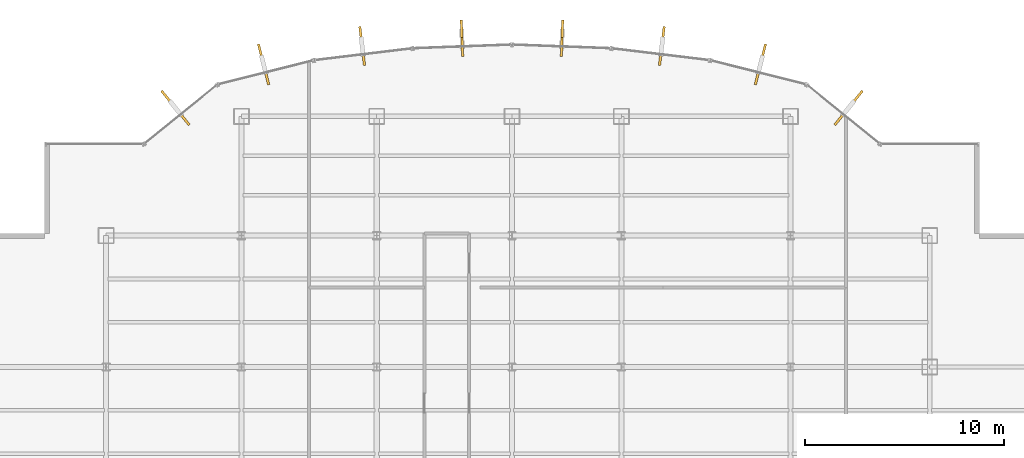
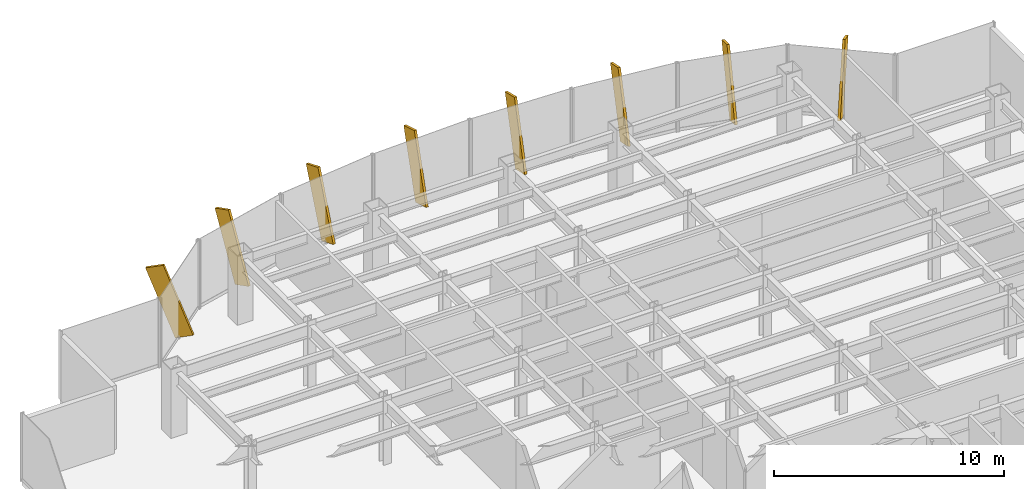
# One storey, part 25 of 26: 8 shading devices.
"""IFC4 building model written with IfcOpenShell, lengths in metres."""

from ifc_helpers import new_model, si_unit, derived_unit, direction, frame, origin, origin_2d, place, context, subcontext, project, spatial, rectangle, extrude, source, transform, mapped, material, type_object, element, save


model = new_model("IFC4")

# Units and contexts
model_context = context("Model", 3, precision=1e-05, world=origin(), true_north=direction((0.0, 1.0)))
body_context = subcontext(model_context, "Body", "Model", "MODEL_VIEW")
ifc_project = project(units=[si_unit("LENGTHUNIT", "METRE"), si_unit("AREAUNIT", "SQUARE_METRE"), si_unit("VOLUMEUNIT", "CUBIC_METRE"), si_unit("PLANEANGLEUNIT", "RADIAN"), si_unit("MASSUNIT", "GRAM", prefix="KILO"), derived_unit("THERMALTRANSMITTANCEUNIT", [(si_unit("POWERUNIT", "WATT"), 1), (si_unit("LENGTHUNIT", "METRE"), -2), (si_unit("THERMODYNAMICTEMPERATUREUNIT", "KELVIN"), -1)])], contexts=[model_context])

# Site, building, storey
site_placement = place(None, origin())
site = spatial("IfcSite", under=ifc_project, at=site_placement, CompositionType="ELEMENT")
building_placement = place(site_placement, origin())
building = spatial("IfcBuilding", under=site, at=building_placement, Name="Skarnbrae Concourse Arena and Tower", CompositionType="ELEMENT")
storey_placement = place(building_placement, frame((0.0, 0.0, 95.949951171875)))
storey = spatial("IfcBuildingStorey", under=building, at=storey_placement, Name="L23", CompositionType="ELEMENT", Elevation=95.949951171875)

# Shading devices
ifc_material = material(Name="Bronze anodised aluminium 6063-T6", Category="aluminium")
shading_device_type = type_object("IfcShadingDeviceType", Name="SHD-BRONZE-FIN-900", PredefinedType="USERDEFINED", material=ifc_material)
shared_shape = source(origin(), body_context, "Body", "SweptSolid", [
    extrude(rectangle(XDim=0.1201171875, YDim=0.89990234375, at=origin_2d()), origin(), (0.0, 0.0, 1.0), 3.64990234375),
])
for number, where, z_axis, x_axis, name in (
    (1, (44.4833984375, 40.28564453125, 0.136962890625), (0.239526668578, 0.294926759827, 0.925010908789), (0.776244501415, -0.630431974144, 0.0), "L23 Outward-leaning bronze shading fin 08"),
    (2, (40.336669921875, 42.40087890625, 0.112060546875), (0.084039023534, 0.334746461808, 0.93855327437), (0.969901771235, -0.243496517748, 0.0), "L23 Outward-leaning bronze shading fin 09"),
    (3, (35.465087890625, 43.37841796875, 0.086669921875), (0.036626580708, 0.302488689745, 0.952448993995), (0.992748952377, -0.120206146079, 0.0), "L23 Outward-leaning bronze shading fin 10"),
    (4, (30.497314453125, 43.846923828125, 0.064208984375), (0.00978065579, 0.262849307687, 0.964787323829), (0.999308421355, -0.037184392011, 0.0), "L23 Outward-leaning bronze shading fin 11"),
    (5, (25.502685546875, 43.846923828125, 0.064208984375), (-0.00978065579, 0.262849307687, 0.964787323829), (0.999308421355, 0.037184392011, 0.0), "L23 Outward-leaning bronze shading fin 12"),
    (6, (20.534912109375, 43.37841796875, 0.086669921875), (-0.036626580708, 0.302488689745, 0.952448993995), (0.992748952377, 0.120206146079, 0.0), "L23 Outward-leaning bronze shading fin 13"),
    (7, (15.663330078125, 42.40087890625, 0.112060546875), (-0.084039023534, 0.334746461808, 0.93855327437), (0.969901771235, 0.243496517748, 0.0), "L23 Outward-leaning bronze shading fin 14"),
    (8, (11.5166015625, 40.28564453125, 0.136962890625), (-0.239526668578, 0.294926759827, 0.925010908789), (0.776244501415, 0.630431974144, 0.0), "L23 Outward-leaning bronze shading fin 15"),
):
    element("IfcShadingDevice", number, at=place(storey_placement, frame(where, z_axis=z_axis, x_axis=x_axis)), inside=storey, type_object=shading_device_type, Name=name, ObjectType="FIN", PredefinedType="USERDEFINED", context=body_context, shape_type="MappedRepresentation", body=[
        mapped(shared_shape, transform((0.0, 0.0, 0.0))),
    ])

save(model, "model.ifc")
